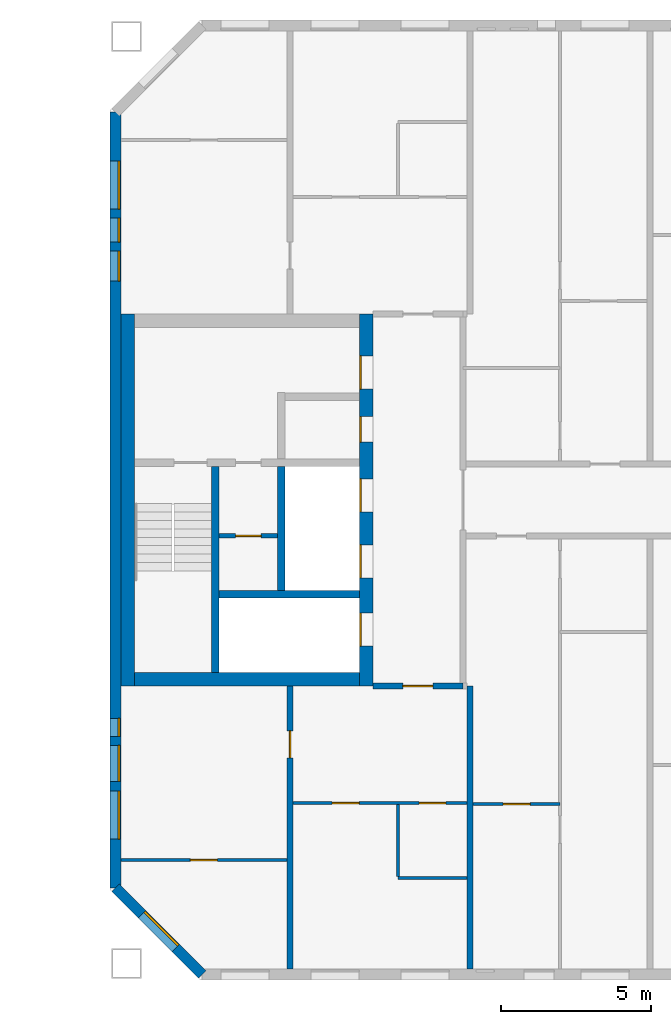
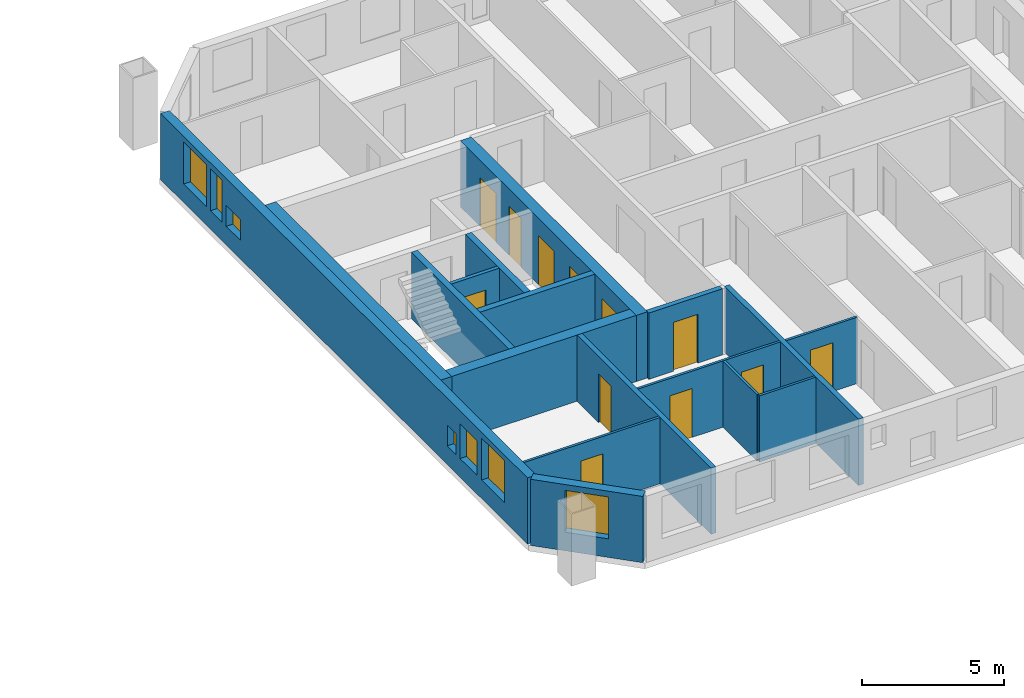
# One storey, part 8 of 15: 17 walls, 12 doors, 7 windows, 19 openings.
"""IFC4 building model written with IfcOpenShell, lengths in metres."""

import ifcopenshell
import ifcopenshell.guid

model = None  # the IFC model being written
_history = None  # IfcOwnerHistory: only IFC2X3 demands one
_inside = {}  # id of a spatial element -> (the spatial element, [elements in it])
_under = {}  # id of a project, library or spatial element -> (it, [spatial elements below it])
_declared = {}  # id of a project -> (the project, [libraries it declares])
_typed = {}  # id of a type object -> (the type object, [elements of that type])
_made_of = {}  # id of a material, layer set ... -> (it, [elements and type objects made of it])


def new_model(schema):
    """Start an empty IFC model of exactly this schema.

    Asked for "IFC4X3", IfcOpenShell would pick the latest addendum, in which some entities
    have other attributes; the version numbers below select the first issue.
    IFC2X3 requires an IfcOwnerHistory on every rooted entity: one is made here for all.
    """
    global model, _history
    if schema == "IFC4X3":
        model = ifcopenshell.file(schema_version=(4, 3, 0, 0))
    else:
        model = ifcopenshell.file(schema=schema)
    _inside.clear()
    _under.clear()
    _declared.clear()
    _typed.clear()
    _made_of.clear()
    _history = None
    if model.schema == "IFC2X3":
        org = make("IfcOrganization", Name="unknown")
        user = make(
            "IfcPersonAndOrganization",
            ThePerson=make("IfcPerson", FamilyName="unknown"),
            TheOrganization=org,
        )
        app = make(
            "IfcApplication",
            ApplicationDeveloper=org,
            Version="unknown",
            ApplicationFullName="unknown",
            ApplicationIdentifier="unknown",
        )
        _history = make(
            "IfcOwnerHistory",
            OwningUser=user,
            OwningApplication=app,
            ChangeAction="ADDED",
            CreationDate=0,
        )
    return model


def make(cls, **values):
    """One entity of the class cls with the attributes given. An attribute that is None is left unset."""
    return model.create_entity(
        cls, **{name: value for name, value in values.items() if value is not None}
    )


def rooted(cls, **values):
    """An entity with a GlobalId (a new one), such as an element, a storey or a relation."""
    return make(cls, GlobalId=ifcopenshell.guid.new(), OwnerHistory=_history, **values)


def si_unit(unit_type, name, prefix=None):
    """IfcSIUnit, for example si_unit("LENGTHUNIT", "METRE", prefix="MILLI")."""
    return make("IfcSIUnit", UnitType=unit_type, Prefix=prefix, Name=name)


def assignment(units):
    """IfcUnitAssignment: the units of a project."""
    return None if units is None else make("IfcUnitAssignment", Units=units)


def point(xyz):
    """IfcCartesianPoint."""
    return None if xyz is None else make("IfcCartesianPoint", Coordinates=xyz)


def direction(xyz):
    """IfcDirection."""
    return None if xyz is None else make("IfcDirection", DirectionRatios=xyz)


def frame(location, z_axis=None, x_axis=None):
    """IfcAxis2Placement3D, a coordinate frame: its origin and axes. An axis left out is left unset."""
    return make(
        "IfcAxis2Placement3D",
        Location=point(location),
        Axis=direction(z_axis),
        RefDirection=direction(x_axis),
    )


def frame_2d(location, x_axis=None):
    """IfcAxis2Placement2D, a coordinate frame in the plane: its origin and x axis."""
    return make(
        "IfcAxis2Placement2D", Location=point(location), RefDirection=direction(x_axis)
    )


def origin():
    """The frame at (0, 0, 0) with its axes left unset."""
    return frame((0.0, 0.0, 0.0))


def place(relative_to, where):
    """IfcLocalPlacement: puts the frame where relative to a parent placement (None: the world)."""
    return make(
        "IfcLocalPlacement", PlacementRelTo=relative_to, RelativePlacement=where
    )


def context(
    kind, dimensions, precision=None, world=None, true_north=None, identifier=None
):
    """IfcGeometricRepresentationContext, for example the 3D "Model" context."""
    return make(
        "IfcGeometricRepresentationContext",
        ContextIdentifier=identifier,
        ContextType=kind,
        CoordinateSpaceDimension=dimensions,
        Precision=precision,
        WorldCoordinateSystem=world,
        TrueNorth=true_north,
    )


def subcontext(parent, identifier, kind, view, scale=None):
    """IfcGeometricRepresentationSubContext, for example "Body" below "Model"."""
    return make(
        "IfcGeometricRepresentationSubContext",
        ContextIdentifier=identifier,
        ContextType=kind,
        ParentContext=parent,
        TargetScale=scale,
        TargetView=view,
    )


def project(units=None, contexts=None):
    """IfcProject with its units and contexts."""
    return rooted(
        "IfcProject",
        Name="project",
        RepresentationContexts=contexts,
        UnitsInContext=assignment(units),
    )


def spatial(cls, under=None, at=None, **own):
    """A site, building, storey or space (cls), placed at a placement, below another one or the project."""
    s = rooted(cls, ObjectPlacement=at, **own)
    if under is not None:
        _under.setdefault(under.id(), (under, []))[1].append(s)
    return s


def profile(cls, at=None, kind="AREA", **sizes):
    """A parametric profile (cls). Its sizes go by their IFC names, for example OverallWidth=200.0."""
    return make(cls, ProfileType=kind, Position=at, **sizes)


def rectangle(**sizes):
    """IfcRectangleProfileDef."""
    return profile("IfcRectangleProfileDef", **sizes)


def extrude(swept, where, along, depth):
    """IfcExtrudedAreaSolid: the profile swept, set in the frame where, extruded along a direction by depth."""
    return make(
        "IfcExtrudedAreaSolid",
        SweptArea=swept,
        Position=where,
        ExtrudedDirection=direction(along),
        Depth=depth,
    )


def shape(context_of_items, identifier, shape_type, items):
    """IfcShapeRepresentation: the items that make up one representation, for example the "Body"."""
    return make(
        "IfcShapeRepresentation",
        ContextOfItems=context_of_items,
        RepresentationIdentifier=identifier,
        RepresentationType=shape_type,
        Items=items,
    )


def material(Name=None, Category=None):
    """IfcMaterial."""
    return make("IfcMaterial", Name=Name, Category=Category)


def layer(
    of_material, thickness, ventilated=None, Name=None, Category=None, Priority=None
):
    """IfcMaterialLayer: one layer of a wall or slab, of a material (None: an air gap)."""
    return make(
        "IfcMaterialLayer",
        Material=of_material,
        LayerThickness=thickness,
        IsVentilated=ventilated,
        Name=Name,
        Category=Category,
        Priority=Priority,
    )


def layer_set(layers, Name=None):
    """IfcMaterialLayerSet."""
    return make("IfcMaterialLayerSet", MaterialLayers=layers, LayerSetName=Name)


def made_of(thing, what):
    """Note that an element or type object is made of a material, layer set ...; save() writes the relation."""
    if what is not None:
        _made_of.setdefault(what.id(), (what, []))[1].append(thing)
    return thing


def type_object(cls, material=None, **own):
    """A type object (cls), such as IfcWallType, which elements share."""
    return made_of(rooted(cls, **own), material)


def element(
    cls,
    number,
    at=None,
    inside=None,
    cuts=None,
    type_object=None,
    material=None,
    context=None,
    identifier="Body",
    shape_type=None,
    held_by="IfcProductDefinitionShape",
    body=None,
    shapes=None,
    **own,
):
    """One element of the class cls, such as IfcWall. Its Tag is "e" and its number.

    at: its placement. inside: the storey or other place that contains it. cuts: it is an
    opening in that element (IfcRelVoidsElement). A single representation is given by context,
    identifier, shape_type and body (its items); several are given by shapes. held_by: the class
    of the entity that holds the representations. save() writes the other relations.
    """
    e = rooted(cls, Tag="e%d" % number, ObjectPlacement=at, **own)
    if body is not None:
        shapes = [shape(context, identifier, shape_type, body)]
    if shapes is not None:
        e.Representation = make(held_by, Representations=shapes)
    if inside is not None:
        _inside.setdefault(inside.id(), (inside, []))[1].append(e)
    if cuts is not None:
        rooted(
            "IfcRelVoidsElement", RelatingBuildingElement=cuts, RelatedOpeningElement=e
        )
    if type_object is not None:
        _typed.setdefault(type_object.id(), (type_object, []))[1].append(e)
    return made_of(e, material)


def fill(opening, filler):
    """IfcRelFillsElement: the door or window that sits in an opening."""
    return rooted(
        "IfcRelFillsElement",
        RelatingOpeningElement=opening,
        RelatedBuildingElement=filler,
    )


def aggregate(whole, parts):
    """IfcRelAggregates: a whole, such as a stair, and the parts it consists of."""
    return rooted("IfcRelAggregates", RelatingObject=whole, RelatedObjects=parts)


def save(model, path):
    """Write the relations noted so far, then the file.

    IfcRelAggregates (storeys below a building ...), IfcRelContainedInSpatialStructure (elements
    in a storey), IfcRelDefinesByType, IfcRelAssociatesMaterial and IfcRelDeclares: one each for
    every whole, place, type object, material and project.
    """
    for whole, parts in _under.values():
        aggregate(whole, parts)
    for where, things in _inside.values():
        rooted(
            "IfcRelContainedInSpatialStructure",
            RelatedElements=things,
            RelatingStructure=where,
        )
    for kind, things in _typed.values():
        rooted("IfcRelDefinesByType", RelatedObjects=things, RelatingType=kind)
    for what, things in _made_of.values():
        rooted("IfcRelAssociatesMaterial", RelatedObjects=things, RelatingMaterial=what)
    for by, libraries in _declared.values():
        rooted("IfcRelDeclares", RelatingContext=by, RelatedDefinitions=libraries)
    model.write(path)


model = new_model("IFC4")

# Units and contexts
model_context = context("Model", 3, precision=1e-05, world=origin(), true_north=direction((0.0, 1.0)))
body_context = subcontext(model_context, "Body", "Model", "MODEL_VIEW")
ifc_project = project(units=[si_unit("LENGTHUNIT", "METRE"), si_unit("AREAUNIT", "SQUARE_METRE"), si_unit("VOLUMEUNIT", "CUBIC_METRE"), si_unit("PLANEANGLEUNIT", "RADIAN"), si_unit("MASSUNIT", "GRAM", prefix="KILO")], contexts=[model_context])

# Site, building, storey
site_placement = place(None, origin())
site = spatial("IfcSite", under=ifc_project, at=site_placement, CompositionType="ELEMENT")
building_placement = place(site_placement, origin())
building = spatial("IfcBuilding", under=site, at=building_placement, Name="Tuart Gate Housing", CompositionType="ELEMENT")
storey_placement = place(building_placement, frame((0.0, 0.0, 185.10009765625)))
storey = spatial("IfcBuildingStorey", under=building, at=storey_placement, Name="L52", CompositionType="ELEMENT", Elevation=185.10009765625)

# Wall, opening, window
ifc_material_1 = material(Name="Brick", Category="masonry")
ifc_layer_1 = layer(ifc_material_1, 0.360107421875)
ifc_layer_set_1 = layer_set([ifc_layer_1], Name="Brick pier and spandrel wall 360")
wall_type_1 = type_object("IfcWallType", Name="Brick pier and spandrel wall 360", PredefinedType="STANDARD", material=ifc_layer_set_1)
wall_1_placement = place(storey_placement, frame((131.179931640625, 57.07470703125, 0.0), z_axis=(0.0, 0.0, 1.0), x_axis=(0.707106781187, -0.707106781187, 0.0)))
wall_1 = element("IfcWall", 1, at=wall_1_placement, inside=storey, type_object=wall_type_1, Name="External wall B-SW L52", PredefinedType="STANDARD", context=body_context, shape_type="SweptSolid", body=[
    extrude(rectangle(XDim=4.09375, YDim=0.360107421875, at=frame_2d((2.046875, 0.0))), origin(), (0.0, 0.0, 1.0), 2.849853515625),
])
opening_1_placement = place(wall_1_placement, frame((1.2470703125, 0.0, 0.800048828125)))
opening_1 = element("IfcOpeningElement", 2, at=opening_1_placement, cuts=wall_1, Name="Opening W1", PredefinedType="OPENING", context=body_context, shape_type="SweptSolid", body=[
    extrude(rectangle(XDim=1.60009765625, YDim=1.800048828125, at=frame_2d((0.800048828125, 0.89990234375))), frame((0.0, 0.18994140625, 0.0), z_axis=(0.0, -1.0, 0.0), x_axis=(1.0, 0.0, 0.0)), (0.0, 0.0, 1.0), 0.380126953125),
])
ifc_material_2 = material(Name="Aluminium frame with clear glass", Category="aluminium")
window_type_1 = type_object("IfcWindowType", Name="Punched window 1600 x 1800", PartitioningType="SINGLE_PANEL", PredefinedType="WINDOW", material=ifc_material_2)
window_1_placement = place(opening_1_placement, origin())
window_1 = element("IfcWindow", 3, at=window_1_placement, inside=storey, type_object=window_type_1, Name="Window W1", OverallHeight=1.800048828125, OverallWidth=1.60009765625, PartitioningType="SINGLE_PANEL", PredefinedType="WINDOW", context=body_context, shape_type="SweptSolid", body=[
    extrude(rectangle(XDim=1.60009765625, YDim=1.800048828125, at=frame_2d((0.800048828125, 0.89990234375))), frame((0.0, 0.150146484375, 0.0), z_axis=(0.0, -1.0, 0.0), x_axis=(1.0, 0.0, 0.0)), (0.0, 0.0, 1.0), 0.06005859375),
])
fill(opening_1, window_1)

# Wall, openings, windows
wall_2_placement = place(storey_placement, frame((131.179931640625, 82.92529296875, 0.0), z_axis=(0.0, 0.0, 1.0), x_axis=(0.0, -1.0, 0.0)))
wall_2 = element("IfcWall", 4, at=wall_2_placement, inside=storey, type_object=wall_type_1, Name="External wall B-W L52", PredefinedType="STANDARD", context=body_context, shape_type="SweptSolid", body=[
    extrude(rectangle(XDim=25.850830078125, YDim=0.360107421875, at=frame_2d((12.92529296875, 0.0))), origin(), (0.0, 0.0, 1.0), 2.849853515625),
])
opening_2_placement = place(wall_2_placement, frame((1.62548828125, 0.0, 0.800048828125)))
opening_2 = element("IfcOpeningElement", 5, at=opening_2_placement, cuts=wall_2, Name="Opening W1", PredefinedType="OPENING", context=body_context, shape_type="SweptSolid", body=[
    extrude(rectangle(XDim=1.60009765625, YDim=1.800048828125, at=frame_2d((0.800048828125, 0.89990234375))), frame((0.0, 0.18994140625, 0.0), z_axis=(0.0, -1.0, 0.0), x_axis=(1.0, 0.0, 0.0)), (0.0, 0.0, 1.0), 0.380126953125),
])
opening_3_placement = place(wall_2_placement, frame((3.525390625, 0.0, 0.800048828125)))
opening_3 = element("IfcOpeningElement", 6, at=opening_3_placement, cuts=wall_2, Name="Opening W1D", PredefinedType="OPENING", context=body_context, shape_type="SweptSolid", body=[
    extrude(rectangle(XDim=0.800048828125, YDim=1.800048828125, at=frame_2d((0.39990234375, 0.89990234375))), frame((0.0, 0.18994140625, 0.0), z_axis=(0.0, -1.0, 0.0), x_axis=(1.0, 0.0, 0.0)), (0.0, 0.0, 1.0), 0.380126953125),
])
opening_4_placement = place(wall_2_placement, frame((20.200439453125, 0.0, 0.800048828125)))
opening_4 = element("IfcOpeningElement", 7, at=opening_4_placement, cuts=wall_2, Name="Opening W1W", PredefinedType="OPENING", context=body_context, shape_type="SweptSolid", body=[
    extrude(rectangle(XDim=0.60009765625, YDim=0.89990234375, at=frame_2d((0.300048828125, 0.449951171875))), frame((0.0, 0.18994140625, 0.0), z_axis=(0.0, -1.0, 0.0), x_axis=(1.0, 0.0, 0.0)), (0.0, 0.0, 1.0), 0.380126953125),
])
opening_5_placement = place(wall_2_placement, frame((22.62548828125, 0.0, 0.800048828125)))
opening_5 = element("IfcOpeningElement", 8, at=opening_5_placement, cuts=wall_2, Name="Opening W1", PredefinedType="OPENING", context=body_context, shape_type="SweptSolid", body=[
    extrude(rectangle(XDim=1.60009765625, YDim=1.800048828125, at=frame_2d((0.800048828125, 0.89990234375))), frame((0.0, 0.18994140625, 0.0), z_axis=(0.0, -1.0, 0.0), x_axis=(1.0, 0.0, 0.0)), (0.0, 0.0, 1.0), 0.380126953125),
])
opening_6_placement = place(wall_2_placement, frame((4.62548828125, 0.0, 0.800048828125)))
opening_6 = element("IfcOpeningElement", 9, at=opening_6_placement, cuts=wall_2, Name="Opening W1U", PredefinedType="OPENING", context=body_context, shape_type="SweptSolid", body=[
    extrude(rectangle(XDim=1.0, YDim=0.89990234375, at=frame_2d((0.5, 0.449951171875))), frame((0.0, 0.18994140625, 0.0), z_axis=(0.0, -1.0, 0.0), x_axis=(1.0, 0.0, 0.0)), (0.0, 0.0, 1.0), 0.380126953125),
])
opening_7_placement = place(wall_2_placement, frame((21.100341796875, 0.0, 0.800048828125)))
opening_7 = element("IfcOpeningElement", 10, at=opening_7_placement, cuts=wall_2, Name="Opening W1H", PredefinedType="OPENING", context=body_context, shape_type="SweptSolid", body=[
    extrude(rectangle(XDim=1.199951171875, YDim=1.5, at=frame_2d((0.60009765625, 0.75))), frame((0.0, 0.18994140625, 0.0), z_axis=(0.0, -1.0, 0.0), x_axis=(1.0, 0.0, 0.0)), (0.0, 0.0, 1.0), 0.380126953125),
])
ifc_material_3 = material(Name="Aluminium frame with clear glass", Category="aluminium")
window_type_2 = type_object("IfcWindowType", Name="Punched window 1000 x 900", PartitioningType="SINGLE_PANEL", PredefinedType="WINDOW", material=ifc_material_3)
window_2_placement = place(opening_6_placement, origin())
window_2 = element("IfcWindow", 11, at=window_2_placement, inside=storey, type_object=window_type_2, Name="Window W1U", OverallHeight=0.89990234375, OverallWidth=1.0, PartitioningType="SINGLE_PANEL", PredefinedType="WINDOW", context=body_context, shape_type="SweptSolid", body=[
    extrude(rectangle(XDim=1.0, YDim=0.89990234375, at=frame_2d((0.5, 0.449951171875))), frame((0.0, 0.150146484375, 0.0), z_axis=(0.0, -1.0, 0.0), x_axis=(1.0, 0.0, 0.0)), (0.0, 0.0, 1.0), 0.06005859375),
])
fill(opening_6, window_2)
ifc_material_4 = material(Name="Aluminium frame with clear glass", Category="aluminium")
window_type_3 = type_object("IfcWindowType", Name="Punched window 1200 x 1500", PartitioningType="SINGLE_PANEL", PredefinedType="WINDOW", material=ifc_material_4)
window_3_placement = place(opening_7_placement, origin())
window_3 = element("IfcWindow", 12, at=window_3_placement, inside=storey, type_object=window_type_3, Name="Window W1H", OverallHeight=1.5, OverallWidth=1.199951171875, PartitioningType="SINGLE_PANEL", PredefinedType="WINDOW", context=body_context, shape_type="SweptSolid", body=[
    extrude(rectangle(XDim=1.199951171875, YDim=1.5, at=frame_2d((0.60009765625, 0.75))), frame((0.0, 0.150146484375, 0.0), z_axis=(0.0, -1.0, 0.0), x_axis=(1.0, 0.0, 0.0)), (0.0, 0.0, 1.0), 0.06005859375),
])
fill(opening_7, window_3)
window_4_placement = place(opening_2_placement, origin())
window_4 = element("IfcWindow", 13, at=window_4_placement, inside=storey, type_object=window_type_1, Name="Window W1", OverallHeight=1.800048828125, OverallWidth=1.60009765625, PartitioningType="SINGLE_PANEL", PredefinedType="WINDOW", context=body_context, shape_type="SweptSolid", body=[
    extrude(rectangle(XDim=1.60009765625, YDim=1.800048828125, at=frame_2d((0.800048828125, 0.89990234375))), frame((0.0, 0.150146484375, 0.0), z_axis=(0.0, -1.0, 0.0), x_axis=(1.0, 0.0, 0.0)), (0.0, 0.0, 1.0), 0.06005859375),
])
fill(opening_2, window_4)
window_5_placement = place(opening_5_placement, origin())
window_5 = element("IfcWindow", 14, at=window_5_placement, inside=storey, type_object=window_type_1, Name="Window W1", OverallHeight=1.800048828125, OverallWidth=1.60009765625, PartitioningType="SINGLE_PANEL", PredefinedType="WINDOW", context=body_context, shape_type="SweptSolid", body=[
    extrude(rectangle(XDim=1.60009765625, YDim=1.800048828125, at=frame_2d((0.800048828125, 0.89990234375))), frame((0.0, 0.150146484375, 0.0), z_axis=(0.0, -1.0, 0.0), x_axis=(1.0, 0.0, 0.0)), (0.0, 0.0, 1.0), 0.06005859375),
])
fill(opening_5, window_5)
ifc_material_5 = material(Name="Aluminium frame with clear glass", Category="aluminium")
window_type_4 = type_object("IfcWindowType", Name="Punched window 600 x 900", PartitioningType="SINGLE_PANEL", PredefinedType="WINDOW", material=ifc_material_5)
window_6_placement = place(opening_4_placement, origin())
window_6 = element("IfcWindow", 15, at=window_6_placement, inside=storey, type_object=window_type_4, Name="Window W1W", OverallHeight=0.89990234375, OverallWidth=0.60009765625, PartitioningType="SINGLE_PANEL", PredefinedType="WINDOW", context=body_context, shape_type="SweptSolid", body=[
    extrude(rectangle(XDim=0.60009765625, YDim=0.89990234375, at=frame_2d((0.300048828125, 0.449951171875))), frame((0.0, 0.150146484375, 0.0), z_axis=(0.0, -1.0, 0.0), x_axis=(1.0, 0.0, 0.0)), (0.0, 0.0, 1.0), 0.06005859375),
])
fill(opening_4, window_6)
ifc_material_6 = material(Name="Aluminium frame with clear glass", Category="aluminium")
window_type_5 = type_object("IfcWindowType", Name="Punched window 800 x 1800", PartitioningType="SINGLE_PANEL", PredefinedType="WINDOW", material=ifc_material_6)
window_7_placement = place(opening_3_placement, origin())
window_7 = element("IfcWindow", 16, at=window_7_placement, inside=storey, type_object=window_type_5, Name="Window W1D", OverallHeight=1.800048828125, OverallWidth=0.800048828125, PartitioningType="SINGLE_PANEL", PredefinedType="WINDOW", context=body_context, shape_type="SweptSolid", body=[
    extrude(rectangle(XDim=0.800048828125, YDim=1.800048828125, at=frame_2d((0.39990234375, 0.89990234375))), frame((0.0, 0.150146484375, 0.0), z_axis=(0.0, -1.0, 0.0), x_axis=(1.0, 0.0, 0.0)), (0.0, 0.0, 1.0), 0.06005859375),
])
fill(opening_3, window_7)

# Wall, opening, door
ifc_material_7 = material(Name="Plasterboard partition")
ifc_layer_2 = layer(ifc_material_7, 0.14990234375)
ifc_layer_set_2 = layer_set([ifc_layer_2], Name="Core partition 150")
wall_type_2 = type_object("IfcWallType", Name="Core partition 150", PredefinedType="PARTITIONING", material=ifc_layer_set_2)
wall_3_placement = place(storey_placement, frame((136.5849609375, 68.800048828125, 0.0), z_axis=(0.0, 0.0, 1.0), x_axis=(-1.0, 0.0, 0.0)))
wall_3 = element("IfcWall", 17, at=wall_3_placement, inside=storey, type_object=wall_type_2, Name="Core partition BG.2", PredefinedType="PARTITIONING", context=body_context, shape_type="SweptSolid", body=[
    extrude(rectangle(XDim=1.949951171875, YDim=0.14990234375, at=frame_2d((0.97509765625, 0.0))), origin(), (0.0, 0.0, 1.0), 2.849853515625),
])
opening_8_placement = place(wall_3_placement, frame((0.550048828125, 0.0, 0.0)))
opening_8 = element("IfcOpeningElement", 18, at=opening_8_placement, cuts=wall_3, Name="Opening D1925", PredefinedType="OPENING", context=body_context, shape_type="SweptSolid", body=[
    extrude(rectangle(XDim=0.85009765625, YDim=2.10009765625, at=frame_2d((0.425048828125, 1.050048828125))), frame((0.0, 0.0849609375, 0.0), z_axis=(0.0, -1.0, 0.0), x_axis=(1.0, 0.0, 0.0)), (0.0, 0.0, 1.0), 0.169921875),
])
ifc_material_8 = material(Name="Steel fire door", Category="steel")
door_type_1 = type_object("IfcDoorType", Name="Service door 850 x 2100 RH", OperationType="SINGLE_SWING_RIGHT", PredefinedType="DOOR", material=ifc_material_8)
door_1_placement = place(opening_8_placement, frame((0.85009765625, 0.0, 0.0), z_axis=(0.0, 0.0, 1.0), x_axis=(-1.0, 0.0, 0.0)))
door_1 = element("IfcDoor", 19, at=door_1_placement, inside=storey, type_object=door_type_1, Name="Service room door BG.W2", OperationType="SINGLE_SWING_RIGHT", OverallHeight=2.10009765625, OverallWidth=0.85009765625, PredefinedType="DOOR", context=body_context, shape_type="SweptSolid", body=[
    extrude(rectangle(XDim=0.85009765625, YDim=2.10009765625, at=frame_2d((0.425048828125, 1.050048828125))), frame((0.0, 0.025146484375, 0.0), z_axis=(0.0, -1.0, 0.0), x_axis=(1.0, 0.0, 0.0)), (0.0, 0.0, 1.0), 0.050048828125),
])
fill(opening_8, door_1)

# Walls
ifc_material_9 = material(Name="Concrete C40", Category="concrete")
ifc_layer_3 = layer(ifc_material_9, 0.25)
ifc_layer_set_3 = layer_set([ifc_layer_3], Name="Core wall 250 C40")
wall_type_3 = type_object("IfcWallType", Name="Core wall 250 C40", PredefinedType="SHEAR", material=ifc_layer_set_3)
wall_4_placement = place(storey_placement, frame((139.31005859375, 66.85009765625, 0.0), z_axis=(0.0, 0.0, 1.0), x_axis=(-1.0, 0.0, 0.0)))
element("IfcWall", 20, at=wall_4_placement, inside=storey, type_object=wall_type_3, Name="Core wall BG.1", PredefinedType="SHEAR", context=body_context, shape_type="SweptSolid", body=[
    extrude(rectangle(XDim=4.675048828125, YDim=0.25, at=frame_2d((2.33740234375, 0.0))), origin(), (0.0, 0.0, 1.0), 2.849853515625),
])
wall_5_placement = place(storey_placement, frame((136.7099609375, 66.97509765625, 0.0), z_axis=(0.0, 0.0, 1.0), x_axis=(0.0, 1.0, 0.0)))
element("IfcWall", 21, at=wall_5_placement, inside=storey, type_object=wall_type_3, Name="Core wall BG.5", PredefinedType="SHEAR", context=body_context, shape_type="SweptSolid", body=[
    extrude(rectangle(XDim=4.14990234375, YDim=0.25, at=frame_2d((2.074951171875, 0.0))), origin(), (0.0, 0.0, 1.0), 2.849853515625),
])
wall_6_placement = place(storey_placement, frame((134.510009765625, 64.25, 0.0), z_axis=(0.0, 0.0, 1.0), x_axis=(0.0, 1.0, 0.0)))
element("IfcWall", 22, at=wall_6_placement, inside=storey, type_object=wall_type_3, Name="Core wall BG.7", PredefinedType="SHEAR", context=body_context, shape_type="SweptSolid", body=[
    extrude(rectangle(XDim=6.875, YDim=0.25, at=frame_2d((3.4375, 0.0))), origin(), (0.0, 0.0, 1.0), 2.849853515625),
])

# Wall, openings, doors
ifc_material_10 = material(Name="Concrete C40", Category="concrete")
ifc_layer_4 = layer(ifc_material_10, 0.449951171875)
ifc_layer_set_4 = layer_set([ifc_layer_4], Name="Core wall 450 C40")
wall_type_4 = type_object("IfcWallType", Name="Core wall 450 C40", PredefinedType="SHEAR", material=ifc_layer_set_4)
wall_7_placement = place(storey_placement, frame((139.534912109375, 63.800048828125, 0.0), z_axis=(0.0, 0.0, 1.0), x_axis=(0.0, 1.0, 0.0)))
wall_7 = element("IfcWall", 23, at=wall_7_placement, inside=storey, type_object=wall_type_4, Name="Core wall BG front", PredefinedType="SHEAR", context=body_context, shape_type="SweptSolid", body=[
    extrude(rectangle(XDim=12.39990234375, YDim=0.449951171875, at=frame_2d((6.199951171875, 0.0))), origin(), (0.0, 0.0, 1.0), 2.849853515625),
])
opening_9_placement = place(wall_7_placement, frame((1.324951171875, 0.0, 0.0)))
opening_9 = element("IfcOpeningElement", 24, at=opening_9_placement, cuts=wall_7, Name="Opening LD-FB1", PredefinedType="OPENING", context=body_context, shape_type="SweptSolid", body=[
    extrude(rectangle(XDim=1.10009765625, YDim=2.10009765625, at=frame_2d((0.550048828125, 1.050048828125))), frame((0.0, 0.23486328125, 0.0), z_axis=(0.0, -1.0, 0.0), x_axis=(1.0, 0.0, 0.0)), (0.0, 0.0, 1.0), 0.469970703125),
])
opening_10_placement = place(wall_7_placement, frame((3.60009765625, 0.0, 0.0)))
opening_10 = element("IfcOpeningElement", 25, at=opening_10_placement, cuts=wall_7, Name="Opening LD-LB1", PredefinedType="OPENING", context=body_context, shape_type="SweptSolid", body=[
    extrude(rectangle(XDim=1.10009765625, YDim=2.10009765625, at=frame_2d((0.550048828125, 1.050048828125))), frame((0.0, 0.23486328125, 0.0), z_axis=(0.0, -1.0, 0.0), x_axis=(1.0, 0.0, 0.0)), (0.0, 0.0, 1.0), 0.469970703125),
])
opening_11_placement = place(wall_7_placement, frame((5.800048828125, 0.0, 0.0)))
opening_11 = element("IfcOpeningElement", 26, at=opening_11_placement, cuts=wall_7, Name="Opening LD-LB2", PredefinedType="OPENING", context=body_context, shape_type="SweptSolid", body=[
    extrude(rectangle(XDim=1.10009765625, YDim=2.10009765625, at=frame_2d((0.550048828125, 1.050048828125))), frame((0.0, 0.23486328125, 0.0), z_axis=(0.0, -1.0, 0.0), x_axis=(1.0, 0.0, 0.0)), (0.0, 0.0, 1.0), 0.469970703125),
])
opening_12_placement = place(wall_7_placement, frame((9.89990234375, 0.0, 0.0)))
opening_12 = element("IfcOpeningElement", 27, at=opening_12_placement, cuts=wall_7, Name="Opening D1917", PredefinedType="OPENING", context=body_context, shape_type="SweptSolid", body=[
    extrude(rectangle(XDim=1.10009765625, YDim=2.10009765625, at=frame_2d((0.550048828125, 1.050048828125))), frame((0.0, 0.23486328125, 0.0), z_axis=(0.0, -1.0, 0.0), x_axis=(1.0, 0.0, 0.0)), (0.0, 0.0, 1.0), 0.469970703125),
])
opening_13_placement = place(wall_7_placement, frame((8.125, 0.0, 0.0)))
opening_13 = element("IfcOpeningElement", 28, at=opening_13_placement, cuts=wall_7, Name="Opening D1918", PredefinedType="OPENING", context=body_context, shape_type="SweptSolid", body=[
    extrude(rectangle(XDim=0.85009765625, YDim=2.10009765625, at=frame_2d((0.425048828125, 1.050048828125))), frame((0.0, 0.23486328125, 0.0), z_axis=(0.0, -1.0, 0.0), x_axis=(1.0, 0.0, 0.0)), (0.0, 0.0, 1.0), 0.469970703125),
])
ifc_material_11 = material(Name="Stainless steel", Category="steel")
door_type_2 = type_object("IfcDoorType", Name="Landing door 1100 x 2100", OperationType="DOUBLE_DOOR_SLIDING", PredefinedType="DOOR", material=ifc_material_11)
door_2_placement = place(opening_9_placement, origin())
door_2 = element("IfcDoor", 29, at=door_2_placement, inside=storey, type_object=door_type_2, Name="Lift landing door FB1", OperationType="DOUBLE_DOOR_SLIDING", OverallHeight=2.10009765625, OverallWidth=1.10009765625, PredefinedType="DOOR", context=body_context, shape_type="SweptSolid", body=[
    extrude(rectangle(XDim=1.10009765625, YDim=2.10009765625, at=frame_2d((0.550048828125, 1.050048828125))), frame((0.0, 0.2099609375, 0.0), z_axis=(0.0, -1.0, 0.0), x_axis=(1.0, 0.0, 0.0)), (0.0, 0.0, 1.0), 0.050048828125),
])
fill(opening_9, door_2)
door_3_placement = place(opening_10_placement, origin())
door_3 = element("IfcDoor", 30, at=door_3_placement, inside=storey, type_object=door_type_2, Name="Lift landing door LB1", OperationType="DOUBLE_DOOR_SLIDING", OverallHeight=2.10009765625, OverallWidth=1.10009765625, PredefinedType="DOOR", context=body_context, shape_type="SweptSolid", body=[
    extrude(rectangle(XDim=1.10009765625, YDim=2.10009765625, at=frame_2d((0.550048828125, 1.050048828125))), frame((0.0, 0.2099609375, 0.0), z_axis=(0.0, -1.0, 0.0), x_axis=(1.0, 0.0, 0.0)), (0.0, 0.0, 1.0), 0.050048828125),
])
fill(opening_10, door_3)
door_4_placement = place(opening_11_placement, origin())
door_4 = element("IfcDoor", 31, at=door_4_placement, inside=storey, type_object=door_type_2, Name="Lift landing door LB2", OperationType="DOUBLE_DOOR_SLIDING", OverallHeight=2.10009765625, OverallWidth=1.10009765625, PredefinedType="DOOR", context=body_context, shape_type="SweptSolid", body=[
    extrude(rectangle(XDim=1.10009765625, YDim=2.10009765625, at=frame_2d((0.550048828125, 1.050048828125))), frame((0.0, 0.2099609375, 0.0), z_axis=(0.0, -1.0, 0.0), x_axis=(1.0, 0.0, 0.0)), (0.0, 0.0, 1.0), 0.050048828125),
])
fill(opening_11, door_4)
ifc_material_12 = material(Name="Steel fire door", Category="steel")
door_type_3 = type_object("IfcDoorType", Name="Lobby door 1100 x 2100", OperationType="SINGLE_SWING_LEFT", PredefinedType="DOOR", material=ifc_material_12)
door_5_placement = place(opening_12_placement, origin())
door_5 = element("IfcDoor", 32, at=door_5_placement, inside=storey, type_object=door_type_3, Name="Lobby entry door BG.EN", OperationType="SINGLE_SWING_LEFT", OverallHeight=2.10009765625, OverallWidth=1.10009765625, PredefinedType="DOOR", context=body_context, shape_type="SweptSolid", body=[
    extrude(rectangle(XDim=1.10009765625, YDim=2.10009765625, at=frame_2d((0.550048828125, 1.050048828125))), frame((0.0, 0.2099609375, 0.0), z_axis=(0.0, -1.0, 0.0), x_axis=(1.0, 0.0, 0.0)), (0.0, 0.0, 1.0), 0.050048828125),
])
fill(opening_12, door_5)
ifc_material_13 = material(Name="Steel fire door", Category="steel")
door_type_4 = type_object("IfcDoorType", Name="Service door 850 x 2100", OperationType="SINGLE_SWING_LEFT", PredefinedType="DOOR", material=ifc_material_13)
door_6_placement = place(opening_13_placement, origin())
door_6 = element("IfcDoor", 33, at=door_6_placement, inside=storey, type_object=door_type_4, Name="Service room door BG.T1", OperationType="SINGLE_SWING_LEFT", OverallHeight=2.10009765625, OverallWidth=0.85009765625, PredefinedType="DOOR", context=body_context, shape_type="SweptSolid", body=[
    extrude(rectangle(XDim=0.85009765625, YDim=2.10009765625, at=frame_2d((0.425048828125, 1.050048828125))), frame((0.0, 0.2099609375, 0.0), z_axis=(0.0, -1.0, 0.0), x_axis=(1.0, 0.0, 0.0)), (0.0, 0.0, 1.0), 0.050048828125),
])
fill(opening_13, door_6)

# Walls
wall_8_placement = place(storey_placement, frame((131.5849609375, 63.800048828125, 0.0), z_axis=(0.0, 0.0, 1.0), x_axis=(0.0, 1.0, 0.0)))
element("IfcWall", 34, at=wall_8_placement, inside=storey, type_object=wall_type_4, Name="Core wall BG back", PredefinedType="SHEAR", context=body_context, shape_type="SweptSolid", body=[
    extrude(rectangle(XDim=12.39990234375, YDim=0.449951171875, at=frame_2d((6.199951171875, 0.0))), origin(), (0.0, 0.0, 1.0), 2.849853515625),
])
wall_9_placement = place(storey_placement, frame((139.31005859375, 64.02490234375, 0.0), z_axis=(0.0, 0.0, 1.0), x_axis=(-1.0, 0.0, 0.0)))
element("IfcWall", 35, at=wall_9_placement, inside=storey, type_object=wall_type_4, Name="Core wall BG south", PredefinedType="SHEAR", context=body_context, shape_type="SweptSolid", body=[
    extrude(rectangle(XDim=7.5, YDim=0.449951171875, at=frame_2d((3.75, 0.0))), origin(), (0.0, 0.0, 1.0), 2.849853515625),
])

# Wall, opening, door
ifc_material_14 = material(Name="Concrete masonry 15 MPa", Category="masonry")
ifc_layer_5 = layer(ifc_material_14, 0.199951171875)
ifc_layer_set_5 = layer_set([ifc_layer_5], Name="Enclosure wall masonry 200")
wall_type_5 = type_object("IfcWallType", Name="Enclosure wall masonry 200", PredefinedType="PARTITIONING", material=ifc_layer_set_5)
wall_10_placement = place(storey_placement, frame((139.760009765625, 63.800048828125, 0.0), z_axis=(0.0, 0.0, 1.0), x_axis=(1.0, 0.0, 0.0)))
wall_10 = element("IfcWall", 36, at=wall_10_placement, inside=storey, type_object=wall_type_5, Name="Enclosure wall masonry 200", PredefinedType="PARTITIONING", context=body_context, shape_type="SweptSolid", body=[
    extrude(rectangle(XDim=3.0, YDim=0.199951171875, at=frame_2d((1.5, 0.0))), origin(), (0.0, 0.0, 1.0), 2.849853515625),
])
opening_14_placement = place(wall_10_placement, frame((1.0, 0.0, 0.0)))
opening_14 = element("IfcOpeningElement", 37, at=opening_14_placement, cuts=wall_10, Name="Opening D1930", PredefinedType="OPENING", context=body_context, shape_type="SweptSolid", body=[
    extrude(rectangle(XDim=1.0, YDim=2.10009765625, at=frame_2d((0.5, 1.050048828125))), frame((0.0, 0.10986328125, 0.0), z_axis=(0.0, -1.0, 0.0), x_axis=(1.0, 0.0, 0.0)), (0.0, 0.0, 1.0), 0.219970703125),
])
ifc_material_15 = material(Name="Timber door leaf in steel frame", Category="steel")
door_type_5 = type_object("IfcDoorType", Name="Flat entrance door 1000", OperationType="SINGLE_SWING_LEFT", PredefinedType="DOOR", material=ifc_material_15)
door_7_placement = place(opening_14_placement, frame((1.0, 0.0, 0.0), z_axis=(0.0, 0.0, 1.0), x_axis=(-1.0, 0.0, 0.0)))
door_7 = element("IfcDoor", 38, at=door_7_placement, inside=storey, type_object=door_type_5, Name="Flat entrance door", OperationType="SINGLE_SWING_LEFT", OverallHeight=2.10009765625, OverallWidth=1.0, PredefinedType="DOOR", context=body_context, shape_type="SweptSolid", body=[
    extrude(rectangle(XDim=1.0, YDim=2.10009765625, at=frame_2d((0.5, 1.050048828125))), frame((0.0, 0.025146484375, 0.0), z_axis=(0.0, -1.0, 0.0), x_axis=(1.0, 0.0, 0.0)), (0.0, 0.0, 1.0), 0.050048828125),
])
fill(opening_14, door_7)

# Wall
ifc_material_16 = material(Name="Gypsum board on steel studs", Category="steel")
ifc_layer_6 = layer(ifc_material_16, 0.10009765625)
ifc_layer_set_6 = layer_set([ifc_layer_6], Name="Partition 100")
wall_type_6 = type_object("IfcWallType", Name="Partition 100", PredefinedType="PARTITIONING", material=ifc_layer_set_6)
wall_11_placement = place(storey_placement, frame((140.60009765625, 57.39990234375, 0.0), z_axis=(0.0, 0.0, 1.0), x_axis=(1.0, 0.0, 0.0)))
element("IfcWall", 39, at=wall_11_placement, inside=storey, type_object=wall_type_6, Name="Partition 100", PredefinedType="PARTITIONING", context=body_context, shape_type="SweptSolid", body=[
    extrude(rectangle(XDim=2.2998046875, YDim=0.10009765625, at=frame_2d((1.14990234375, 0.0))), origin(), (0.0, 0.0, 1.0), 2.849853515625),
])

# Wall, opening, door
wall_12_placement = place(storey_placement, frame((131.360107421875, 58.0, 0.0), z_axis=(0.0, 0.0, 1.0), x_axis=(1.0, 0.0, 0.0)))
wall_12 = element("IfcWall", 40, at=wall_12_placement, inside=storey, type_object=wall_type_6, Name="Partition 100", PredefinedType="PARTITIONING", context=body_context, shape_type="SweptSolid", body=[
    extrude(rectangle(XDim=5.539794921875, YDim=0.10009765625, at=frame_2d((2.77001953125, 0.0))), origin(), (0.0, 0.0, 1.0), 2.849853515625),
])
opening_15_placement = place(wall_12_placement, frame((2.320068359375, 0.0, 0.0)))
opening_15 = element("IfcOpeningElement", 41, at=opening_15_placement, cuts=wall_12, Name="Opening D1945", PredefinedType="OPENING", context=body_context, shape_type="SweptSolid", body=[
    extrude(rectangle(XDim=0.89990234375, YDim=2.10009765625, at=frame_2d((0.449951171875, 1.050048828125))), frame((0.0, 0.06005859375, 0.0), z_axis=(0.0, -1.0, 0.0), x_axis=(1.0, 0.0, 0.0)), (0.0, 0.0, 1.0), 0.1201171875),
])
ifc_material_17 = material(Name="Timber door leaf in steel frame", Category="steel")
door_type_6 = type_object("IfcDoorType", Name="Internal door 900 RH", OperationType="SINGLE_SWING_RIGHT", PredefinedType="DOOR", material=ifc_material_17)
door_8_placement = place(opening_15_placement, frame((0.89990234375, 0.0, 0.0), z_axis=(0.0, 0.0, 1.0), x_axis=(-1.0, 0.0, 0.0)))
door_8 = element("IfcDoor", 42, at=door_8_placement, inside=storey, type_object=door_type_6, Name="Internal door", OperationType="SINGLE_SWING_RIGHT", OverallHeight=2.10009765625, OverallWidth=0.89990234375, PredefinedType="DOOR", context=body_context, shape_type="SweptSolid", body=[
    extrude(rectangle(XDim=0.89990234375, YDim=2.10009765625, at=frame_2d((0.449951171875, 1.050048828125))), frame((0.0, 0.025146484375, 0.0), z_axis=(0.0, -1.0, 0.0), x_axis=(1.0, 0.0, 0.0)), (0.0, 0.0, 1.0), 0.050048828125),
])
fill(opening_15, door_8)

wall_13_placement = place(storey_placement, frame((143.10009765625, 59.860107421875, 0.0), z_axis=(0.0, 0.0, 1.0), x_axis=(1.0, 0.0, 0.0)))
wall_13 = element("IfcWall", 43, at=wall_13_placement, inside=storey, type_object=wall_type_6, Name="Partition 100", PredefinedType="PARTITIONING", context=body_context, shape_type="SweptSolid", body=[
    extrude(rectangle(XDim=2.89990234375, YDim=0.10009765625, at=frame_2d((1.449951171875, 0.0))), origin(), (0.0, 0.0, 1.0), 2.849853515625),
])
opening_16_placement = place(wall_13_placement, frame((1.0, 0.0, 0.0)))
opening_16 = element("IfcOpeningElement", 44, at=opening_16_placement, cuts=wall_13, Name="Opening D1943", PredefinedType="OPENING", context=body_context, shape_type="SweptSolid", body=[
    extrude(rectangle(XDim=0.89990234375, YDim=2.10009765625, at=frame_2d((0.449951171875, 1.050048828125))), frame((0.0, 0.06005859375, 0.0), z_axis=(0.0, -1.0, 0.0), x_axis=(1.0, 0.0, 0.0)), (0.0, 0.0, 1.0), 0.1201171875),
])
door_9_placement = place(opening_16_placement, origin())
door_9 = element("IfcDoor", 45, at=door_9_placement, inside=storey, type_object=door_type_6, Name="Internal door", OperationType="SINGLE_SWING_RIGHT", OverallHeight=2.10009765625, OverallWidth=0.89990234375, PredefinedType="DOOR", context=body_context, shape_type="SweptSolid", body=[
    extrude(rectangle(XDim=0.89990234375, YDim=2.10009765625, at=frame_2d((0.449951171875, 1.050048828125))), frame((0.0, 0.02490234375, 0.0), z_axis=(0.0, -1.0, 0.0), x_axis=(1.0, 0.0, 0.0)), (0.0, 0.0, 1.0), 0.050048828125),
])
fill(opening_16, door_9)

# Wall, openings, doors
wall_14_placement = place(storey_placement, frame((137.10009765625, 59.89990234375, 0.0), z_axis=(0.0, 0.0, 1.0), x_axis=(1.0, 0.0, 0.0)))
wall_14 = element("IfcWall", 46, at=wall_14_placement, inside=storey, type_object=wall_type_6, Name="Partition 100", PredefinedType="PARTITIONING", context=body_context, shape_type="SweptSolid", body=[
    extrude(rectangle(XDim=5.7998046875, YDim=0.10009765625, at=frame_2d((2.89990234375, 0.0))), origin(), (0.0, 0.0, 1.0), 2.849853515625),
])
opening_17_placement = place(wall_14_placement, frame((1.300048828125, 0.0, 0.0)))
opening_17 = element("IfcOpeningElement", 47, at=opening_17_placement, cuts=wall_14, Name="Opening D1940", PredefinedType="OPENING", context=body_context, shape_type="SweptSolid", body=[
    extrude(rectangle(XDim=0.89990234375, YDim=2.10009765625, at=frame_2d((0.449951171875, 1.050048828125))), frame((0.0, 0.06005859375, 0.0), z_axis=(0.0, -1.0, 0.0), x_axis=(1.0, 0.0, 0.0)), (0.0, 0.0, 1.0), 0.1201171875),
])
opening_18_placement = place(wall_14_placement, frame((4.199951171875, 0.0, 0.0)))
opening_18 = element("IfcOpeningElement", 48, at=opening_18_placement, cuts=wall_14, Name="Opening D1939", PredefinedType="OPENING", context=body_context, shape_type="SweptSolid", body=[
    extrude(rectangle(XDim=0.89990234375, YDim=2.10009765625, at=frame_2d((0.449951171875, 1.050048828125))), frame((0.0, 0.06005859375, 0.0), z_axis=(0.0, -1.0, 0.0), x_axis=(1.0, 0.0, 0.0)), (0.0, 0.0, 1.0), 0.1201171875),
])
ifc_material_18 = material(Name="Timber door leaf in steel frame", Category="steel")
door_type_7 = type_object("IfcDoorType", Name="Bathroom door 900 RH", OperationType="SINGLE_SWING_RIGHT", PredefinedType="DOOR", material=ifc_material_18)
door_10_placement = place(opening_18_placement, frame((0.89990234375, 0.0, 0.0), z_axis=(0.0, 0.0, 1.0), x_axis=(-1.0, 0.0, 0.0)))
door_10 = element("IfcDoor", 49, at=door_10_placement, inside=storey, type_object=door_type_7, Name="Bathroom door", OperationType="SINGLE_SWING_RIGHT", OverallHeight=2.10009765625, OverallWidth=0.89990234375, PredefinedType="DOOR", context=body_context, shape_type="SweptSolid", body=[
    extrude(rectangle(XDim=0.89990234375, YDim=2.10009765625, at=frame_2d((0.449951171875, 1.050048828125))), frame((0.0, 0.025146484375, 0.0), z_axis=(0.0, -1.0, 0.0), x_axis=(1.0, 0.0, 0.0)), (0.0, 0.0, 1.0), 0.050048828125),
])
fill(opening_18, door_10)
ifc_material_19 = material(Name="Timber door leaf in steel frame", Category="steel")
door_type_8 = type_object("IfcDoorType", Name="Internal door 900", OperationType="SINGLE_SWING_LEFT", PredefinedType="DOOR", material=ifc_material_19)
door_11_placement = place(opening_17_placement, frame((0.89990234375, 0.0, 0.0), z_axis=(0.0, 0.0, 1.0), x_axis=(-1.0, 0.0, 0.0)))
door_11 = element("IfcDoor", 50, at=door_11_placement, inside=storey, type_object=door_type_8, Name="Internal door", OperationType="SINGLE_SWING_LEFT", OverallHeight=2.10009765625, OverallWidth=0.89990234375, PredefinedType="DOOR", context=body_context, shape_type="SweptSolid", body=[
    extrude(rectangle(XDim=0.89990234375, YDim=2.10009765625, at=frame_2d((0.449951171875, 1.050048828125))), frame((0.0, 0.025146484375, 0.0), z_axis=(0.0, -1.0, 0.0), x_axis=(1.0, 0.0, 0.0)), (0.0, 0.0, 1.0), 0.050048828125),
])
fill(opening_17, door_11)

# Wall
wall_15_placement = place(storey_placement, frame((140.60009765625, 57.449951171875, 0.0), z_axis=(0.0, 0.0, 1.0), x_axis=(0.0, 1.0, 0.0)))
element("IfcWall", 51, at=wall_15_placement, inside=storey, type_object=wall_type_6, Name="Partition 100", PredefinedType="PARTITIONING", context=body_context, shape_type="SweptSolid", body=[
    extrude(rectangle(XDim=2.400146484375, YDim=0.10009765625, at=frame_2d((1.2001953125, 0.0))), origin(), (0.0, 0.0, 1.0), 2.849853515625),
])

# Wall, opening, door
ifc_material_20 = material(Name="Concrete C40", Category="concrete")
ifc_layer_7 = layer(ifc_material_20, 0.199951171875)
ifc_layer_set_7 = layer_set([ifc_layer_7], Name="Party wall concrete C40 200")
wall_type_7 = type_object("IfcWallType", Name="Party wall concrete C40 200", PredefinedType="SOLIDWALL", material=ifc_layer_set_7)
wall_16_placement = place(storey_placement, frame((137.0, 54.360107421875, 0.0), z_axis=(0.0, 0.0, 1.0), x_axis=(0.0, 1.0, 0.0)))
wall_16 = element("IfcWall", 52, at=wall_16_placement, inside=storey, type_object=wall_type_7, Name="Party wall concrete C40 200", PredefinedType="SOLIDWALL", context=body_context, shape_type="SweptSolid", body=[
    extrude(rectangle(XDim=9.43994140625, YDim=0.199951171875, at=frame_2d((4.719970703125, 0.0))), origin(), (0.0, 0.0, 1.0), 2.849853515625),
])
opening_19_placement = place(wall_16_placement, frame((7.0400390625, 0.0, 0.0)))
opening_19 = element("IfcOpeningElement", 53, at=opening_19_placement, cuts=wall_16, Name="Opening D1944", PredefinedType="OPENING", context=body_context, shape_type="SweptSolid", body=[
    extrude(rectangle(XDim=0.89990234375, YDim=2.10009765625, at=frame_2d((0.449951171875, 1.050048828125))), frame((0.0, 0.10986328125, 0.0), z_axis=(0.0, -1.0, 0.0), x_axis=(1.0, 0.0, 0.0)), (0.0, 0.0, 1.0), 0.219970703125),
])
door_12_placement = place(opening_19_placement, frame((0.89990234375, 0.0, 0.0), z_axis=(0.0, 0.0, 1.0), x_axis=(-1.0, 0.0, 0.0)))
door_12 = element("IfcDoor", 54, at=door_12_placement, inside=storey, type_object=door_type_6, Name="Internal door", OperationType="SINGLE_SWING_RIGHT", OverallHeight=2.10009765625, OverallWidth=0.89990234375, PredefinedType="DOOR", context=body_context, shape_type="SweptSolid", body=[
    extrude(rectangle(XDim=0.89990234375, YDim=2.10009765625, at=frame_2d((0.449951171875, 1.050048828125))), frame((0.0, 0.025146484375, 0.0), z_axis=(0.0, -1.0, 0.0), x_axis=(1.0, 0.0, 0.0)), (0.0, 0.0, 1.0), 0.050048828125),
])
fill(opening_19, door_12)

# Wall
wall_17_placement = place(storey_placement, frame((143.0, 54.360107421875, 0.0), z_axis=(0.0, 0.0, 1.0), x_axis=(0.0, 1.0, 0.0)))
element("IfcWall", 55, at=wall_17_placement, inside=storey, type_object=wall_type_7, Name="Party wall concrete C40 200", PredefinedType="SOLIDWALL", context=body_context, shape_type="SweptSolid", body=[
    extrude(rectangle(XDim=9.43994140625, YDim=0.199951171875, at=frame_2d((4.719970703125, 0.0))), origin(), (0.0, 0.0, 1.0), 2.849853515625),
])

save(model, "model.ifc")
